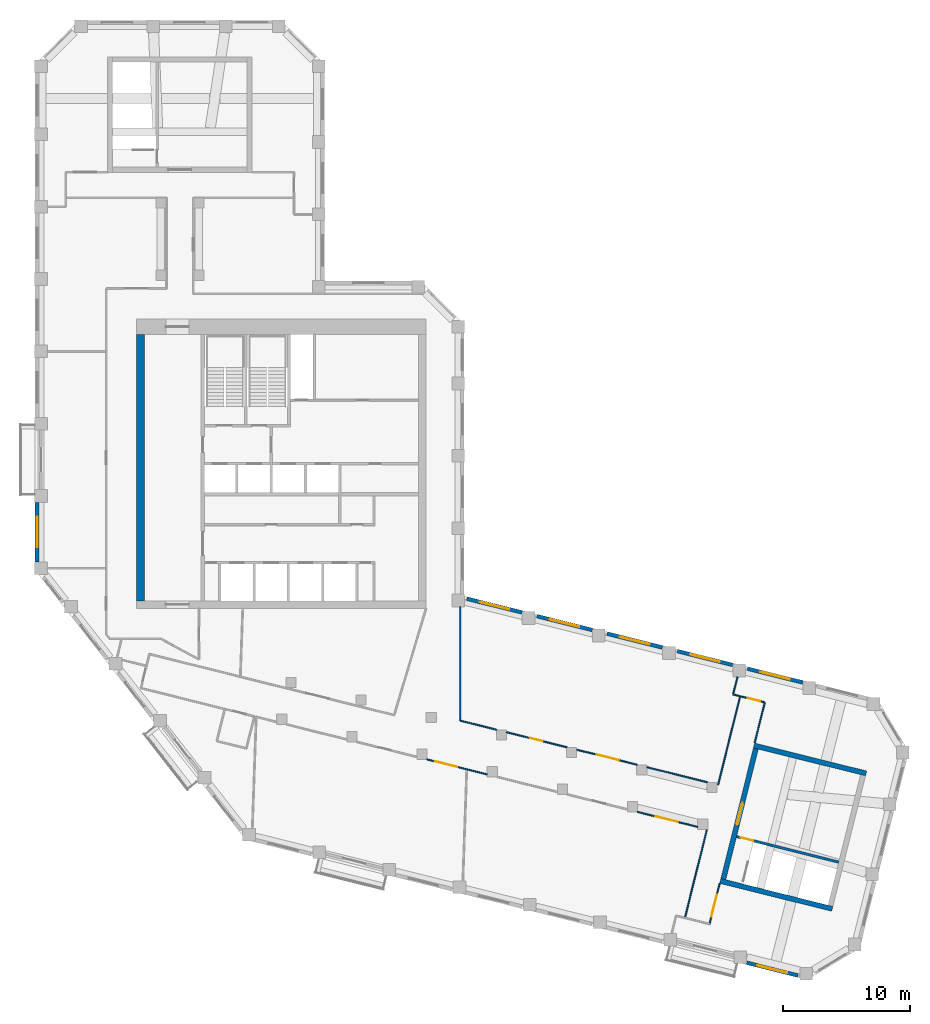
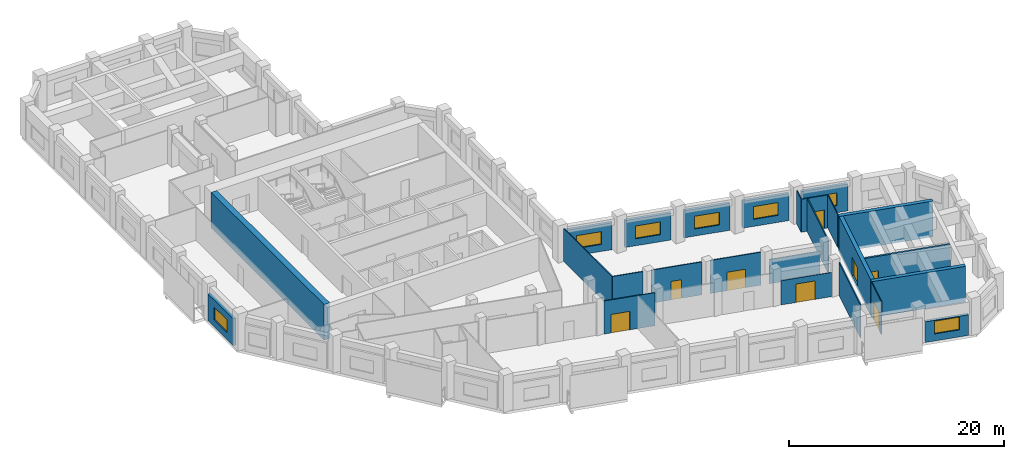
# One storey, part 4 of 9: 26 walls, 8 doors, 7 windows, 15 openings.
"""IFC4 building model written with IfcOpenShell, lengths in metres."""

from ifc_helpers import new_model, si_unit, direction, frame, frame_2d, origin, place, context, subcontext, project, spatial, rectangle, extrude, material, layer, layer_set, type_object, element, fill, save


model = new_model("IFC4")

# Units and contexts
model_context = context("Model", 3, precision=1e-05, world=origin(), true_north=direction((0.0, 1.0)))
body_context = subcontext(model_context, "Body", "Model", "MODEL_VIEW")
ifc_project = project(units=[si_unit("LENGTHUNIT", "METRE"), si_unit("AREAUNIT", "SQUARE_METRE"), si_unit("VOLUMEUNIT", "CUBIC_METRE"), si_unit("PLANEANGLEUNIT", "RADIAN"), si_unit("MASSUNIT", "GRAM", prefix="KILO")], contexts=[model_context])

# Site, building, storey
site_placement = place(None, origin())
site = spatial("IfcSite", under=ifc_project, at=site_placement, CompositionType="ELEMENT")
building_placement = place(site_placement, origin())
building = spatial("IfcBuilding", under=site, at=building_placement, Name="Meshkara Civic Tower", CompositionType="ELEMENT")
storey_placement = place(building_placement, frame((0.0, 0.0, 344.39990234375)))
storey = spatial("IfcBuildingStorey", under=building, at=storey_placement, Name="L79", CompositionType="ELEMENT", Elevation=344.39990234375)

# Wall
ifc_material_1 = material(Name="Concrete C60", Category="concrete")
ifc_layer_1 = layer(ifc_material_1, 0.60009765625)
ifc_layer_set_1 = layer_set([ifc_layer_1], Name="Core ring wall 600 C60")
wall_type_1 = type_object("IfcWallType", Name="Core ring wall 600 C60", PredefinedType="SHEAR", material=ifc_layer_set_1)
wall_1_placement = place(storey_placement, frame((8.300048828125, 14.699951171875, -0.2998046875), z_axis=(0.0, 0.0, 1.0), x_axis=(0.0, 1.0, 0.0)))
element("IfcWall", 1, at=wall_1_placement, inside=storey, type_object=wall_type_1, Name="L79-C003", PredefinedType="SHEAR", context=body_context, shape_type="SweptSolid", body=[
    extrude(rectangle(XDim=21.0, YDim=0.60009765625, at=frame_2d((10.5, 0.0))), origin(), (0.0, 0.0, 1.0), 4.0498046875),
])

# Wall, opening, door
ifc_material_2 = material(Name="Corridor wall 100")
ifc_layer_2 = layer(ifc_material_2, 0.10009765625)
ifc_layer_set_2 = layer_set([ifc_layer_2], Name="Corridor wall 100")
wall_type_2 = type_object("IfcWallType", Name="Corridor wall 100", PredefinedType="PARTITIONING", material=ifc_layer_set_2)
wall_2_placement = place(storey_placement, frame((30.85009765625, 2.201904296875, 0.0), z_axis=(0.0, 0.0, 1.0), x_axis=(0.970308932068, -0.2418689239, 0.0)))
wall_2 = element("IfcWall", 2, at=wall_2_placement, inside=storey, type_object=wall_type_2, Name="L79-W022", PredefinedType="PARTITIONING", context=body_context, shape_type="SweptSolid", body=[
    extrude(rectangle(XDim=4.91162109375, YDim=0.10009765625, at=frame_2d((2.455810546875, 0.0))), origin(), (0.0, 0.0, 1.0), 3.75),
])
opening_1_placement = place(wall_2_placement, frame((0.679931640625, 0.0, 0.0)))
opening_1 = element("IfcOpeningElement", 3, at=opening_1_placement, cuts=wall_2, Name="Opening L79-D006", PredefinedType="OPENING", context=body_context, shape_type="SweptSolid", body=[
    extrude(rectangle(XDim=1.800048828125, YDim=2.10009765625, at=frame_2d((0.89990234375, 1.050048828125))), frame((0.0, 0.06005859375, 0.0), z_axis=(0.0, -1.0, 0.0), x_axis=(1.0, 0.0, 0.0)), (0.0, 0.0, 1.0), 0.1201171875),
])
ifc_material_3 = material(Name="Door pair 1800 x 2100")
door_type_1 = type_object("IfcDoorType", Name="Door pair 1800 x 2100", OperationType="SINGLE_SWING_LEFT", PredefinedType="DOOR", material=ifc_material_3)
door_1_placement = place(opening_1_placement, origin())
door_1 = element("IfcDoor", 4, at=door_1_placement, inside=storey, type_object=door_type_1, Name="L79-D006", OperationType="DOUBLE_DOOR_SINGLE_SWING", OverallHeight=2.10009765625, OverallWidth=1.800048828125, PredefinedType="DOOR", context=body_context, shape_type="SweptSolid", body=[
    extrude(rectangle(XDim=1.800048828125, YDim=2.10009765625, at=frame_2d((0.89990234375, 1.050048828125))), frame((0.0, 0.02490234375, 0.0), z_axis=(0.0, -1.0, 0.0), x_axis=(1.0, 0.0, 0.0)), (0.0, 0.0, 1.0), 0.050048828125),
])
fill(opening_1, door_1)

# Walls
wall_3_placement = place(storey_placement, frame((33.5, 5.2509765625, 0.0), z_axis=(0.0, 0.0, 1.0), x_axis=(0.0, 1.0, 0.0)))
element("IfcWall", 5, at=wall_3_placement, inside=storey, type_object=wall_type_2, Name="L79-W024", PredefinedType="PARTITIONING", context=body_context, shape_type="SweptSolid", body=[
    extrude(rectangle(XDim=8.968017578125, YDim=0.10009765625, at=frame_2d((4.48388671875, 0.0))), origin(), (0.0, 0.0, 1.0), 3.75),
])
wall_4_placement = place(storey_placement, frame((36.3759765625, 4.533935546875, 0.0), z_axis=(0.0, 0.0, 1.0), x_axis=(-0.970297347928, 0.241915391415, 0.0)))
element("IfcWall", 6, at=wall_4_placement, inside=storey, type_object=wall_type_2, Name="L79-W026", PredefinedType="PARTITIONING", context=body_context, shape_type="SweptSolid", body=[
    extrude(rectangle(XDim=2.964111328125, YDim=0.10009765625, at=frame_2d((1.48193359375, 0.0))), origin(), (0.0, 0.0, 1.0), 3.75),
])

# Wall, opening, door
wall_5_placement = place(storey_placement, frame((41.907958984375, 3.155029296875, 0.0), z_axis=(0.0, 0.0, 1.0), x_axis=(-0.970308932068, 0.2418689239, 0.0)))
wall_5 = element("IfcWall", 7, at=wall_5_placement, inside=storey, type_object=wall_type_2, Name="L79-W028", PredefinedType="PARTITIONING", context=body_context, shape_type="SweptSolid", body=[
    extrude(rectangle(XDim=4.91162109375, YDim=0.10009765625, at=frame_2d((2.455810546875, 0.0))), origin(), (0.0, 0.0, 1.0), 3.75),
])
opening_2_placement = place(wall_5_placement, frame((1.97998046875, 0.0, 0.0)))
opening_2 = element("IfcOpeningElement", 8, at=opening_2_placement, cuts=wall_5, Name="Opening L79-D007", PredefinedType="OPENING", context=body_context, shape_type="SweptSolid", body=[
    extrude(rectangle(XDim=1.0, YDim=2.10009765625, at=frame_2d((0.5, 1.050048828125))), frame((0.0, 0.06005859375, 0.0), z_axis=(0.0, -1.0, 0.0), x_axis=(1.0, 0.0, 0.0)), (0.0, 0.0, 1.0), 0.1201171875),
])
ifc_material_4 = material(Name="Door 1000 x 2100")
door_type_2 = type_object("IfcDoorType", Name="Door 1000 x 2100", OperationType="SINGLE_SWING_LEFT", PredefinedType="DOOR", material=ifc_material_4)
door_2_placement = place(opening_2_placement, origin())
door_2 = element("IfcDoor", 9, at=door_2_placement, inside=storey, type_object=door_type_2, Name="L79-D007", OperationType="SINGLE_SWING_LEFT", OverallHeight=2.10009765625, OverallWidth=1.0, PredefinedType="DOOR", context=body_context, shape_type="SweptSolid", body=[
    extrude(rectangle(XDim=1.0, YDim=2.10009765625, at=frame_2d((0.5, 1.050048828125))), frame((0.0, 0.02490234375, 0.0), z_axis=(0.0, -1.0, 0.0), x_axis=(1.0, 0.0, 0.0)), (0.0, 0.0, 1.0), 0.050048828125),
])
fill(opening_2, door_2)

wall_6_placement = place(storey_placement, frame((47.444091796875, -1.93505859375, 0.0), z_axis=(0.0, 0.0, 1.0), x_axis=(0.970285656006, -0.241962281665, 0.0)))
wall_6 = element("IfcWall", 10, at=wall_6_placement, inside=storey, type_object=wall_type_2, Name="L79-W029", PredefinedType="PARTITIONING", context=body_context, shape_type="SweptSolid", body=[
    extrude(rectangle(XDim=4.909912109375, YDim=0.10009765625, at=frame_2d((2.455078125, 0.0))), origin(), (0.0, 0.0, 1.0), 2.75),
])
opening_3_placement = place(wall_6_placement, frame((1.47998046875, 0.0, 0.0)))
opening_3 = element("IfcOpeningElement", 11, at=opening_3_placement, cuts=wall_6, Name="Opening L79-D003", PredefinedType="OPENING", context=body_context, shape_type="SweptSolid", body=[
    extrude(rectangle(XDim=1.800048828125, YDim=2.10009765625, at=frame_2d((0.89990234375, 1.050048828125))), frame((0.0, 0.06005859375, 0.0), z_axis=(0.0, -1.0, 0.0), x_axis=(1.0, 0.0, 0.0)), (0.0, 0.0, 1.0), 0.1201171875),
])
door_3_placement = place(opening_3_placement, origin())
door_3 = element("IfcDoor", 12, at=door_3_placement, inside=storey, type_object=door_type_1, Name="L79-D003", OperationType="DOUBLE_DOOR_SINGLE_SWING", OverallHeight=2.10009765625, OverallWidth=1.800048828125, PredefinedType="DOOR", context=body_context, shape_type="SweptSolid", body=[
    extrude(rectangle(XDim=1.800048828125, YDim=2.10009765625, at=frame_2d((0.89990234375, 1.050048828125))), frame((0.0, 0.02490234375, 0.0), z_axis=(0.0, -1.0, 0.0), x_axis=(1.0, 0.0, 0.0)), (0.0, 0.0, 1.0), 0.050048828125),
])
fill(opening_3, door_3)

wall_7_placement = place(storey_placement, frame((47.43994140625, 1.77587890625, 0.0), z_axis=(0.0, 0.0, 1.0), x_axis=(-0.970273873313, 0.242009526187, 0.0)))
wall_7 = element("IfcWall", 13, at=wall_7_placement, inside=storey, type_object=wall_type_2, Name="L79-W030", PredefinedType="PARTITIONING", context=body_context, shape_type="SweptSolid", body=[
    extrude(rectangle(XDim=4.913818359375, YDim=0.10009765625, at=frame_2d((2.45703125, 0.0))), origin(), (0.0, 0.0, 1.0), 3.75),
])
opening_4_placement = place(wall_7_placement, frame((1.47998046875, 0.0, 0.0)))
opening_4 = element("IfcOpeningElement", 14, at=opening_4_placement, cuts=wall_7, Name="Opening L79-D008", PredefinedType="OPENING", context=body_context, shape_type="SweptSolid", body=[
    extrude(rectangle(XDim=1.800048828125, YDim=2.10009765625, at=frame_2d((0.89990234375, 1.050048828125))), frame((0.0, 0.06005859375, 0.0), z_axis=(0.0, -1.0, 0.0), x_axis=(1.0, 0.0, 0.0)), (0.0, 0.0, 1.0), 0.1201171875),
])
door_4_placement = place(opening_4_placement, origin())
door_4 = element("IfcDoor", 15, at=door_4_placement, inside=storey, type_object=door_type_1, Name="L79-D008", OperationType="DOUBLE_DOOR_SINGLE_SWING", OverallHeight=2.10009765625, OverallWidth=1.800048828125, PredefinedType="DOOR", context=body_context, shape_type="SweptSolid", body=[
    extrude(rectangle(XDim=1.800048828125, YDim=2.10009765625, at=frame_2d((0.89990234375, 1.050048828125))), frame((0.0, 0.02490234375, 0.0), z_axis=(0.0, -1.0, 0.0), x_axis=(1.0, 0.0, 0.0)), (0.0, 0.0, 1.0), 0.050048828125),
])
fill(opening_4, door_4)

# Walls
wall_8_placement = place(storey_placement, frame((52.94091796875, -3.31396484375, 0.0), z_axis=(0.0, 0.0, 1.0), x_axis=(-0.241944492524, -0.97029009195, 0.0)))
element("IfcWall", 16, at=wall_8_placement, inside=storey, type_object=wall_type_2, Name="L79-W032", PredefinedType="PARTITIONING", context=body_context, shape_type="SweptSolid", body=[
    extrude(rectangle(XDim=7.191650390625, YDim=0.10009765625, at=frame_2d((3.595703125, 0.0))), origin(), (0.0, 0.0, 1.0), 3.75),
])
wall_9_placement = place(storey_placement, frame((52.971923828125, 0.39697265625, 0.0), z_axis=(0.0, 0.0, 1.0), x_axis=(-0.970300077675, 0.241904442422, 0.0)))
element("IfcWall", 17, at=wall_9_placement, inside=storey, type_object=wall_type_2, Name="L79-W033", PredefinedType="PARTITIONING", context=body_context, shape_type="SweptSolid", body=[
    extrude(rectangle(XDim=4.9150390625, YDim=0.10009765625, at=frame_2d((2.45751953125, 0.0))), origin(), (0.0, 0.0, 1.0), 2.75),
])

# Wall, opening, door
wall_10_placement = place(storey_placement, frame((53.14208984375, -10.77587890625, 0.0), z_axis=(0.0, 0.0, 1.0), x_axis=(0.241786986316, 0.970329352977, 0.0)))
wall_10 = element("IfcWall", 18, at=wall_10_placement, inside=storey, type_object=wall_type_2, Name="L79-W034", PredefinedType="PARTITIONING", context=body_context, shape_type="SweptSolid", body=[
    extrude(rectangle(XDim=3.2998046875, YDim=0.10009765625, at=frame_2d((1.64990234375, 0.0))), origin(), (0.0, 0.0, 1.0), 3.75),
])
opening_5_placement = place(wall_10_placement, frame((0.580078125, 0.0, 0.0)))
opening_5 = element("IfcOpeningElement", 19, at=opening_5_placement, cuts=wall_10, Name="Opening L79-D001", PredefinedType="OPENING", context=body_context, shape_type="SweptSolid", body=[
    extrude(rectangle(XDim=1.800048828125, YDim=2.10009765625, at=frame_2d((0.89990234375, 1.050048828125))), frame((0.0, 0.06005859375, 0.0), z_axis=(0.0, -1.0, 0.0), x_axis=(1.0, 0.0, 0.0)), (0.0, 0.0, 1.0), 0.1201171875),
])
door_5_placement = place(opening_5_placement, origin())
door_5 = element("IfcDoor", 20, at=door_5_placement, inside=storey, type_object=door_type_1, Name="L79-D001", OperationType="DOUBLE_DOOR_SINGLE_SWING", OverallHeight=2.10009765625, OverallWidth=1.800048828125, PredefinedType="DOOR", context=body_context, shape_type="SweptSolid", body=[
    extrude(rectangle(XDim=1.800048828125, YDim=2.10009765625, at=frame_2d((0.89990234375, 1.050048828125))), frame((0.0, 0.02490234375, 0.0), z_axis=(0.0, -1.0, 0.0), x_axis=(1.0, 0.0, 0.0)), (0.0, 0.0, 1.0), 0.050048828125),
])
fill(opening_5, door_5)

# Walls
wall_11_placement = place(storey_placement, frame((55.555908203125, 7.173095703125, 0.0), z_axis=(0.0, 0.0, 1.0), x_axis=(-0.241937193493, -0.970291911955, 0.0)))
element("IfcWall", 21, at=wall_11_placement, inside=storey, type_object=wall_type_2, Name="L79-W035", PredefinedType="PARTITIONING", context=body_context, shape_type="SweptSolid", body=[
    extrude(rectangle(XDim=7.199951171875, YDim=0.10009765625, at=frame_2d((3.60009765625, 0.0))), origin(), (0.0, 0.0, 1.0), 3.75),
])
wall_12_placement = place(storey_placement, frame((56.697998046875, 3.487060546875, 0.0), z_axis=(0.0, 0.0, 1.0), x_axis=(0.241856645367, 0.970311992656, 0.0)))
element("IfcWall", 22, at=wall_12_placement, inside=storey, type_object=wall_type_2, Name="L79-W036", PredefinedType="PARTITIONING", context=body_context, shape_type="SweptSolid", body=[
    extrude(rectangle(XDim=3.2998046875, YDim=0.10009765625, at=frame_2d((1.64990234375, 0.0))), origin(), (0.0, 0.0, 1.0), 3.75),
])

# Wall, opening, door
wall_13_placement = place(storey_placement, frame((57.49609375, 6.68896484375, 0.0), z_axis=(0.0, 0.0, 1.0), x_axis=(-0.970250131019, 0.242104694829, 0.0)))
wall_13 = element("IfcWall", 23, at=wall_13_placement, inside=storey, type_object=wall_type_2, Name="L79-W037", PredefinedType="PARTITIONING", context=body_context, shape_type="SweptSolid", body=[
    extrude(rectangle(XDim=1.999755859375, YDim=0.10009765625, at=frame_2d((1.0, 0.0))), origin(), (0.0, 0.0, 1.0), 3.75),
])
opening_6_placement = place(wall_13_placement, frame((0.3798828125, 0.0, 0.0)))
opening_6 = element("IfcOpeningElement", 24, at=opening_6_placement, cuts=wall_13, Name="Opening L79-D011", PredefinedType="OPENING", context=body_context, shape_type="SweptSolid", body=[
    extrude(rectangle(XDim=1.0, YDim=2.10009765625, at=frame_2d((0.5, 1.050048828125))), frame((0.0, 0.06005859375, 0.0), z_axis=(0.0, -1.0, 0.0), x_axis=(1.0, 0.0, 0.0)), (0.0, 0.0, 1.0), 0.1201171875),
])
door_6_placement = place(opening_6_placement, origin())
door_6 = element("IfcDoor", 25, at=door_6_placement, inside=storey, type_object=door_type_2, Name="L79-D011", OperationType="SINGLE_SWING_RIGHT", OverallHeight=2.10009765625, OverallWidth=1.0, PredefinedType="DOOR", context=body_context, shape_type="SweptSolid", body=[
    extrude(rectangle(XDim=1.0, YDim=2.10009765625, at=frame_2d((0.5, 1.050048828125))), frame((0.0, 0.02490234375, 0.0), z_axis=(0.0, -1.0, 0.0), x_axis=(1.0, 0.0, 0.0)), (0.0, 0.0, 1.0), 0.050048828125),
])
fill(opening_6, door_6)

# Wall, opening, window
ifc_material_5 = material(Name="Insulated infill panel with bronze anodised aluminium cladding", Category="aluminium")
ifc_layer_3 = layer(ifc_material_5, 0.300048828125)
ifc_layer_set_3 = layer_set([ifc_layer_3], Name="EXTERNAL INFILL WALL 300")
wall_type_3 = type_object("IfcWallType", Name="EXTERNAL INFILL WALL 300", PredefinedType="SOLIDWALL", material=ifc_layer_set_3)
wall_14_placement = place(storey_placement, frame((60.488037109375, 8.261962890625, 0.0), z_axis=(0.0, 0.0, 1.0), x_axis=(-0.970276766004, 0.241997928406, 0.0)))
wall_14 = element("IfcWall", 26, at=wall_14_placement, inside=storey, type_object=wall_type_3, Name="External wall", PredefinedType="SOLIDWALL", context=body_context, shape_type="SweptSolid", body=[
    extrude(rectangle(XDim=4.4873046875, YDim=0.300048828125, at=frame_2d((2.24365234375, 0.0))), origin(), (0.0, 0.0, 1.0), 3.050048828125),
])
opening_7_placement = place(wall_14_placement, frame((1.0439453125, 0.0, 0.800048828125)))
opening_7 = element("IfcOpeningElement", 27, at=opening_7_placement, cuts=wall_14, Name="Opening W8", PredefinedType="OPENING", context=body_context, shape_type="SweptSolid", body=[
    extrude(rectangle(XDim=2.39990234375, YDim=1.449951171875, at=frame_2d((1.199951171875, 0.72509765625))), frame((0.0, 0.159912109375, 0.0), z_axis=(0.0, -1.0, 0.0), x_axis=(1.0, 0.0, 0.0)), (0.0, 0.0, 1.0), 0.320068359375),
])
ifc_material_6 = material(Name="Tinted double glazing", Category="glass")
window_type = type_object("IfcWindowType", Name="WINDOW 2400x1450", PartitioningType="DOUBLE_PANEL_VERTICAL", PredefinedType="WINDOW", material=ifc_material_6)
window_1_placement = place(opening_7_placement, origin())
window_1 = element("IfcWindow", 28, at=window_1_placement, inside=storey, type_object=window_type, Name="Window", OverallHeight=1.449951171875, OverallWidth=2.39990234375, PartitioningType="DOUBLE_PANEL_VERTICAL", PredefinedType="WINDOW", context=body_context, shape_type="SweptSolid", body=[
    extrude(rectangle(XDim=2.39990234375, YDim=1.449951171875, at=frame_2d((1.199951171875, 0.72509765625))), frame((0.0, 0.030029296875, 0.0), z_axis=(0.0, -1.0, 0.0), x_axis=(1.0, 0.0, 0.0)), (0.0, 0.0, 1.0), 0.06005859375),
])
fill(opening_7, window_1)

wall_15_placement = place(storey_placement, frame((54.9580078125, 9.64111328125, 0.0), z_axis=(0.0, 0.0, 1.0), x_axis=(-0.970289506684, 0.241946839653, 0.0)))
wall_15 = element("IfcWall", 29, at=wall_15_placement, inside=storey, type_object=wall_type_3, Name="External wall", PredefinedType="SOLIDWALL", context=body_context, shape_type="SweptSolid", body=[
    extrude(rectangle(XDim=4.48828125, YDim=0.300048828125, at=frame_2d((2.244140625, 0.0))), origin(), (0.0, 0.0, 1.0), 3.050048828125),
])
opening_8_placement = place(wall_15_placement, frame((1.0439453125, 0.0, 0.800048828125)))
opening_8 = element("IfcOpeningElement", 30, at=opening_8_placement, cuts=wall_15, Name="Opening W8", PredefinedType="OPENING", context=body_context, shape_type="SweptSolid", body=[
    extrude(rectangle(XDim=2.39990234375, YDim=1.449951171875, at=frame_2d((1.199951171875, 0.72509765625))), frame((0.0, 0.159912109375, 0.0), z_axis=(0.0, -1.0, 0.0), x_axis=(1.0, 0.0, 0.0)), (0.0, 0.0, 1.0), 0.320068359375),
])
window_2_placement = place(opening_8_placement, origin())
window_2 = element("IfcWindow", 31, at=window_2_placement, inside=storey, type_object=window_type, Name="Window", OverallHeight=1.449951171875, OverallWidth=2.39990234375, PartitioningType="DOUBLE_PANEL_VERTICAL", PredefinedType="WINDOW", context=body_context, shape_type="SweptSolid", body=[
    extrude(rectangle(XDim=2.39990234375, YDim=1.449951171875, at=frame_2d((1.199951171875, 0.72509765625))), frame((0.0, 0.030029296875, 0.0), z_axis=(0.0, -1.0, 0.0), x_axis=(1.0, 0.0, 0.0)), (0.0, 0.0, 1.0), 0.06005859375),
])
fill(opening_8, window_2)

wall_16_placement = place(storey_placement, frame((49.427001953125, 11.02001953125, 0.0), z_axis=(0.0, 0.0, 1.0), x_axis=(-0.970289506684, 0.241946839653, 0.0)))
wall_16 = element("IfcWall", 32, at=wall_16_placement, inside=storey, type_object=wall_type_3, Name="External wall", PredefinedType="SOLIDWALL", context=body_context, shape_type="SweptSolid", body=[
    extrude(rectangle(XDim=4.48828125, YDim=0.300048828125, at=frame_2d((2.244140625, 0.0))), origin(), (0.0, 0.0, 1.0), 3.050048828125),
])
opening_9_placement = place(wall_16_placement, frame((1.0439453125, 0.0, 0.800048828125)))
opening_9 = element("IfcOpeningElement", 33, at=opening_9_placement, cuts=wall_16, Name="Opening W8", PredefinedType="OPENING", context=body_context, shape_type="SweptSolid", body=[
    extrude(rectangle(XDim=2.39990234375, YDim=1.449951171875, at=frame_2d((1.199951171875, 0.72509765625))), frame((0.0, 0.159912109375, 0.0), z_axis=(0.0, -1.0, 0.0), x_axis=(1.0, 0.0, 0.0)), (0.0, 0.0, 1.0), 0.320068359375),
])
window_3_placement = place(opening_9_placement, origin())
window_3 = element("IfcWindow", 34, at=window_3_placement, inside=storey, type_object=window_type, Name="Window", OverallHeight=1.449951171875, OverallWidth=2.39990234375, PartitioningType="DOUBLE_PANEL_VERTICAL", PredefinedType="WINDOW", context=body_context, shape_type="SweptSolid", body=[
    extrude(rectangle(XDim=2.39990234375, YDim=1.449951171875, at=frame_2d((1.199951171875, 0.72509765625))), frame((0.0, 0.030029296875, 0.0), z_axis=(0.0, -1.0, 0.0), x_axis=(1.0, 0.0, 0.0)), (0.0, 0.0, 1.0), 0.06005859375),
])
fill(opening_9, window_3)

wall_17_placement = place(storey_placement, frame((43.89599609375, 12.39892578125, 0.0), z_axis=(0.0, 0.0, 1.0), x_axis=(-0.970263990019, 0.242049147224, 0.0)))
wall_17 = element("IfcWall", 35, at=wall_17_placement, inside=storey, type_object=wall_type_3, Name="External wall", PredefinedType="SOLIDWALL", context=body_context, shape_type="SweptSolid", body=[
    extrude(rectangle(XDim=4.487548828125, YDim=0.300048828125, at=frame_2d((2.24365234375, 0.0))), origin(), (0.0, 0.0, 1.0), 3.050048828125),
])
opening_10_placement = place(wall_17_placement, frame((1.0439453125, 0.0, 0.800048828125)))
opening_10 = element("IfcOpeningElement", 36, at=opening_10_placement, cuts=wall_17, Name="Opening W8", PredefinedType="OPENING", context=body_context, shape_type="SweptSolid", body=[
    extrude(rectangle(XDim=2.39990234375, YDim=1.449951171875, at=frame_2d((1.199951171875, 0.72509765625))), frame((0.0, 0.159912109375, 0.0), z_axis=(0.0, -1.0, 0.0), x_axis=(1.0, 0.0, 0.0)), (0.0, 0.0, 1.0), 0.320068359375),
])
window_4_placement = place(opening_10_placement, origin())
window_4 = element("IfcWindow", 37, at=window_4_placement, inside=storey, type_object=window_type, Name="Window", OverallHeight=1.449951171875, OverallWidth=2.39990234375, PartitioningType="DOUBLE_PANEL_VERTICAL", PredefinedType="WINDOW", context=body_context, shape_type="SweptSolid", body=[
    extrude(rectangle(XDim=2.39990234375, YDim=1.449951171875, at=frame_2d((1.199951171875, 0.72509765625))), frame((0.0, 0.030029296875, 0.0), z_axis=(0.0, -1.0, 0.0), x_axis=(1.0, 0.0, 0.0)), (0.0, 0.0, 1.0), 0.06005859375),
])
fill(opening_10, window_4)

wall_18_placement = place(storey_placement, frame((38.365966796875, 13.778076171875, 0.0), z_axis=(0.0, 0.0, 1.0), x_axis=(-0.970289506684, 0.241946839653, 0.0)))
wall_18 = element("IfcWall", 38, at=wall_18_placement, inside=storey, type_object=wall_type_3, Name="External wall", PredefinedType="SOLIDWALL", context=body_context, shape_type="SweptSolid", body=[
    extrude(rectangle(XDim=4.48828125, YDim=0.300048828125, at=frame_2d((2.244140625, 0.0))), origin(), (0.0, 0.0, 1.0), 3.050048828125),
])
opening_11_placement = place(wall_18_placement, frame((1.0439453125, 0.0, 0.800048828125)))
opening_11 = element("IfcOpeningElement", 39, at=opening_11_placement, cuts=wall_18, Name="Opening W8", PredefinedType="OPENING", context=body_context, shape_type="SweptSolid", body=[
    extrude(rectangle(XDim=2.39990234375, YDim=1.449951171875, at=frame_2d((1.199951171875, 0.72509765625))), frame((0.0, 0.159912109375, 0.0), z_axis=(0.0, -1.0, 0.0), x_axis=(1.0, 0.0, 0.0)), (0.0, 0.0, 1.0), 0.320068359375),
])
window_5_placement = place(opening_11_placement, origin())
window_5 = element("IfcWindow", 40, at=window_5_placement, inside=storey, type_object=window_type, Name="Window", OverallHeight=1.449951171875, OverallWidth=2.39990234375, PartitioningType="DOUBLE_PANEL_VERTICAL", PredefinedType="WINDOW", context=body_context, shape_type="SweptSolid", body=[
    extrude(rectangle(XDim=2.39990234375, YDim=1.449951171875, at=frame_2d((1.199951171875, 0.72509765625))), frame((0.0, 0.030029296875, 0.0), z_axis=(0.0, -1.0, 0.0), x_axis=(1.0, 0.0, 0.0)), (0.0, 0.0, 1.0), 0.06005859375),
])
fill(opening_11, window_5)

wall_19_placement = place(storey_placement, frame((0.14990234375, 22.455078125, 0.0), z_axis=(0.0, 0.0, 1.0), x_axis=(0.0, -1.0, 0.0)))
wall_19 = element("IfcWall", 41, at=wall_19_placement, inside=storey, type_object=wall_type_3, Name="External wall", PredefinedType="SOLIDWALL", context=body_context, shape_type="SweptSolid", body=[
    extrude(rectangle(XDim=4.7001953125, YDim=0.300048828125, at=frame_2d((2.35009765625, 0.0))), origin(), (0.0, 0.0, 1.0), 3.050048828125),
])
opening_12_placement = place(wall_19_placement, frame((1.14990234375, 0.0, 0.800048828125)))
opening_12 = element("IfcOpeningElement", 42, at=opening_12_placement, cuts=wall_19, Name="Opening W8", PredefinedType="OPENING", context=body_context, shape_type="SweptSolid", body=[
    extrude(rectangle(XDim=2.39990234375, YDim=1.449951171875, at=frame_2d((1.199951171875, 0.72509765625))), frame((0.0, 0.159912109375, 0.0), z_axis=(0.0, -1.0, 0.0), x_axis=(1.0, 0.0, 0.0)), (0.0, 0.0, 1.0), 0.320068359375),
])
window_6_placement = place(opening_12_placement, origin())
window_6 = element("IfcWindow", 43, at=window_6_placement, inside=storey, type_object=window_type, Name="Window", OverallHeight=1.449951171875, OverallWidth=2.39990234375, PartitioningType="DOUBLE_PANEL_VERTICAL", PredefinedType="WINDOW", context=body_context, shape_type="SweptSolid", body=[
    extrude(rectangle(XDim=2.39990234375, YDim=1.449951171875, at=frame_2d((1.199951171875, 0.72509765625))), frame((0.0, 0.030029296875, 0.0), z_axis=(0.0, -1.0, 0.0), x_axis=(1.0, 0.0, 0.0)), (0.0, 0.0, 1.0), 0.06005859375),
])
fill(opening_12, window_6)

wall_20_placement = place(storey_placement, frame((56.0810546875, -13.827880859375, 0.0), z_axis=(0.0, 0.0, 1.0), x_axis=(0.970246294139, -0.242120070853, 0.0)))
wall_20 = element("IfcWall", 44, at=wall_20_placement, inside=storey, type_object=wall_type_3, Name="External wall", PredefinedType="SOLIDWALL", context=body_context, shape_type="SweptSolid", body=[
    extrude(rectangle(XDim=4.147216796875, YDim=0.300048828125, at=frame_2d((2.07373046875, 0.0))), origin(), (0.0, 0.0, 1.0), 2.35009765625),
])
opening_13_placement = place(wall_20_placement, frame((0.8740234375, 0.0, 0.800048828125)))
opening_13 = element("IfcOpeningElement", 45, at=opening_13_placement, cuts=wall_20, Name="Opening W8", PredefinedType="OPENING", context=body_context, shape_type="SweptSolid", body=[
    extrude(rectangle(XDim=2.39990234375, YDim=1.449951171875, at=frame_2d((1.199951171875, 0.72509765625))), frame((0.0, 0.159912109375, 0.0), z_axis=(0.0, -1.0, 0.0), x_axis=(1.0, 0.0, 0.0)), (0.0, 0.0, 1.0), 0.320068359375),
])
window_7_placement = place(opening_13_placement, origin())
window_7 = element("IfcWindow", 46, at=window_7_placement, inside=storey, type_object=window_type, Name="Window", OverallHeight=1.449951171875, OverallWidth=2.39990234375, PartitioningType="DOUBLE_PANEL_VERTICAL", PredefinedType="WINDOW", context=body_context, shape_type="SweptSolid", body=[
    extrude(rectangle(XDim=2.39990234375, YDim=1.449951171875, at=frame_2d((1.199951171875, 0.72509765625))), frame((0.0, 0.030029296875, 0.0), z_axis=(0.0, -1.0, 0.0), x_axis=(1.0, 0.0, 0.0)), (0.0, 0.0, 1.0), 0.06005859375),
])
fill(opening_13, window_7)

# Walls
ifc_material_7 = material(Name="Concrete C60", Category="concrete")
ifc_layer_4 = layer(ifc_material_7, 0.39990234375)
ifc_layer_set_4 = layer_set([ifc_layer_4], Name="End core ring wall 400 C60")
wall_type_4 = type_object("IfcWallType", Name="End core ring wall 400 C60", PredefinedType="SHEAR", material=ifc_layer_set_4)
wall_21_placement = place(storey_placement, frame((53.988037109375, -7.3798828125, -0.2998046875), z_axis=(0.0, 0.0, 1.0), x_axis=(0.970281210621, -0.241980107272, 0.0)))
element("IfcWall", 47, at=wall_21_placement, inside=storey, type_object=wall_type_4, Name="L79-C031", PredefinedType="SHEAR", context=body_context, shape_type="SweptSolid", body=[
    extrude(rectangle(XDim=9.1005859375, YDim=0.39990234375, at=frame_2d((4.55029296875, 0.0))), origin(), (0.0, 0.0, 1.0), 4.0498046875),
])
wall_22_placement = place(storey_placement, frame((56.64892578125, 3.29296875, -0.2998046875), z_axis=(0.0, 0.0, 1.0), x_axis=(0.970312696888, -0.241853820019, 0.0)))
element("IfcWall", 48, at=wall_22_placement, inside=storey, type_object=wall_type_4, Name="L79-C032", PredefinedType="SHEAR", context=body_context, shape_type="SweptSolid", body=[
    extrude(rectangle(XDim=9.100341796875, YDim=0.39990234375, at=frame_2d((4.55029296875, 0.0))), origin(), (0.0, 0.0, 1.0), 4.0498046875),
])

# Wall, opening, door
wall_23_placement = place(storey_placement, frame((54.23095703125, -7.23388671875, -0.2998046875), z_axis=(0.0, 0.0, 1.0), x_axis=(0.241890652548, 0.970303515509, 0.0)))
wall_23 = element("IfcWall", 49, at=wall_23_placement, inside=storey, type_object=wall_type_4, Name="L79-C033", PredefinedType="SHEAR", context=body_context, shape_type="SweptSolid", body=[
    extrude(rectangle(XDim=10.599609375, YDim=0.39990234375, at=frame_2d((5.2998046875, 0.0))), origin(), (0.0, 0.0, 1.0), 4.0498046875),
])
opening_14_placement = place(wall_23_placement, frame((4.39990234375, 0.0, 0.300048828125)))
opening_14 = element("IfcOpeningElement", 50, at=opening_14_placement, cuts=wall_23, Name="Opening L79-K202", PredefinedType="OPENING", context=body_context, shape_type="SweptSolid", body=[
    extrude(rectangle(XDim=1.800048828125, YDim=2.10009765625, at=frame_2d((0.89990234375, 1.050048828125))), frame((0.0, 0.2099609375, 0.0), z_axis=(0.0, -1.0, 0.0), x_axis=(1.0, 0.0, 0.0)), (0.0, 0.0, 1.0), 0.419921875),
])
ifc_material_8 = material(Name="Fire-rated door leaf in steel frame", Category="steel")
door_type_3 = type_object("IfcDoorType", Name="Core double door 1800 EI 60", OperationType="DOUBLE_DOOR_SINGLE_SWING", PredefinedType="DOOR", material=ifc_material_8)
door_7_placement = place(opening_14_placement, origin())
door_7 = element("IfcDoor", 51, at=door_7_placement, inside=storey, type_object=door_type_3, Name="L79-K202", OperationType="DOUBLE_DOOR_SINGLE_SWING", OverallHeight=2.10009765625, OverallWidth=1.800048828125, PredefinedType="DOOR", context=body_context, shape_type="SweptSolid", body=[
    extrude(rectangle(XDim=1.800048828125, YDim=2.10009765625, at=frame_2d((0.89990234375, 1.050048828125))), frame((0.0, 0.02490234375, 0.0), z_axis=(0.0, -1.0, 0.0), x_axis=(1.0, 0.0, 0.0)), (0.0, 0.0, 1.0), 0.050048828125),
])
fill(opening_14, door_7)

# Walls
ifc_material_9 = material(Name="Partition 100")
ifc_layer_5 = layer(ifc_material_9, 0.10009765625)
ifc_layer_set_5 = layer_set([ifc_layer_5], Name="Partition 100")
wall_type_5 = type_object("IfcWallType", Name="Partition 100", PredefinedType="PARTITIONING", material=ifc_layer_set_5)
wall_24_placement = place(storey_placement, frame((55.0009765625, 7.31103515625, 0.0), z_axis=(0.0, 0.0, 1.0), x_axis=(0.24185476373, 0.970312461664, 0.0)))
element("IfcWall", 52, at=wall_24_placement, inside=storey, type_object=wall_type_5, Name="L79-W054", PredefinedType="PARTITIONING", context=body_context, shape_type="SweptSolid", body=[
    extrude(rectangle(XDim=1.434326171875, YDim=0.10009765625, at=frame_2d((0.71728515625, 0.0))), origin(), (0.0, 0.0, 1.0), 3.75),
])
wall_25_placement = place(storey_placement, frame((55.56005859375, 7.172119140625, 0.0), z_axis=(0.0, 0.0, 1.0), x_axis=(-0.970490503334, 0.241139343405, 0.0)))
element("IfcWall", 53, at=wall_25_placement, inside=storey, type_object=wall_type_5, Name="L79-W055", PredefinedType="PARTITIONING", context=body_context, shape_type="SweptSolid", body=[
    extrude(rectangle(XDim=0.576171875, YDim=0.10009765625, at=frame_2d((0.2880859375, 0.0))), origin(), (0.0, 0.0, 1.0), 3.75),
])

# Wall, opening, door
ifc_material_10 = material(Name="Concrete C40/50", Category="concrete")
ifc_layer_6 = layer(ifc_material_10, 0.199951171875)
ifc_layer_set_6 = layer_set([ifc_layer_6], Name="Stair enclosure wall 200 C40/50")
wall_type_6 = type_object("IfcWallType", Name="Stair enclosure wall 200 C40/50", PredefinedType="SOLIDWALL", material=ifc_layer_set_6)
wall_26_placement = place(storey_placement, frame((55.27099609375, -3.886962890625, 0.0), z_axis=(0.0, 0.0, 1.0), x_axis=(0.970296288869, -0.241919639151, 0.0)))
wall_26 = element("IfcWall", 54, at=wall_26_placement, inside=storey, type_object=wall_type_6, Name="L79-C035", PredefinedType="SOLIDWALL", context=body_context, shape_type="SweptSolid", body=[
    extrude(rectangle(XDim=8.300537109375, YDim=0.199951171875, at=frame_2d((4.150390625, 0.0))), origin(), (0.0, 0.0, 1.0), 3.75),
])
opening_15_placement = place(wall_26_placement, frame((0.35009765625, 0.0, 0.0)))
opening_15 = element("IfcOpeningElement", 55, at=opening_15_placement, cuts=wall_26, Name="Opening L79-K201", PredefinedType="OPENING", context=body_context, shape_type="SweptSolid", body=[
    extrude(rectangle(XDim=1.0, YDim=2.10009765625, at=frame_2d((0.5, 1.050048828125))), frame((0.0, 0.10986328125, 0.0), z_axis=(0.0, -1.0, 0.0), x_axis=(1.0, 0.0, 0.0)), (0.0, 0.0, 1.0), 0.219970703125),
])
ifc_material_11 = material(Name="Fire-rated door leaf in steel frame", Category="steel")
door_type_4 = type_object("IfcDoorType", Name="Stair door 1000 EI 120", OperationType="SINGLE_SWING_LEFT", PredefinedType="DOOR", material=ifc_material_11)
door_8_placement = place(opening_15_placement, origin())
door_8 = element("IfcDoor", 56, at=door_8_placement, inside=storey, type_object=door_type_4, Name="L79-K201", OperationType="SINGLE_SWING_LEFT", OverallHeight=2.10009765625, OverallWidth=1.0, PredefinedType="DOOR", context=body_context, shape_type="SweptSolid", body=[
    extrude(rectangle(XDim=1.0, YDim=2.10009765625, at=frame_2d((0.5, 1.050048828125))), frame((0.0, 0.02490234375, 0.0), z_axis=(0.0, -1.0, 0.0), x_axis=(1.0, 0.0, 0.0)), (0.0, 0.0, 1.0), 0.050048828125),
])
fill(opening_15, door_8)

save(model, "model.ifc")
